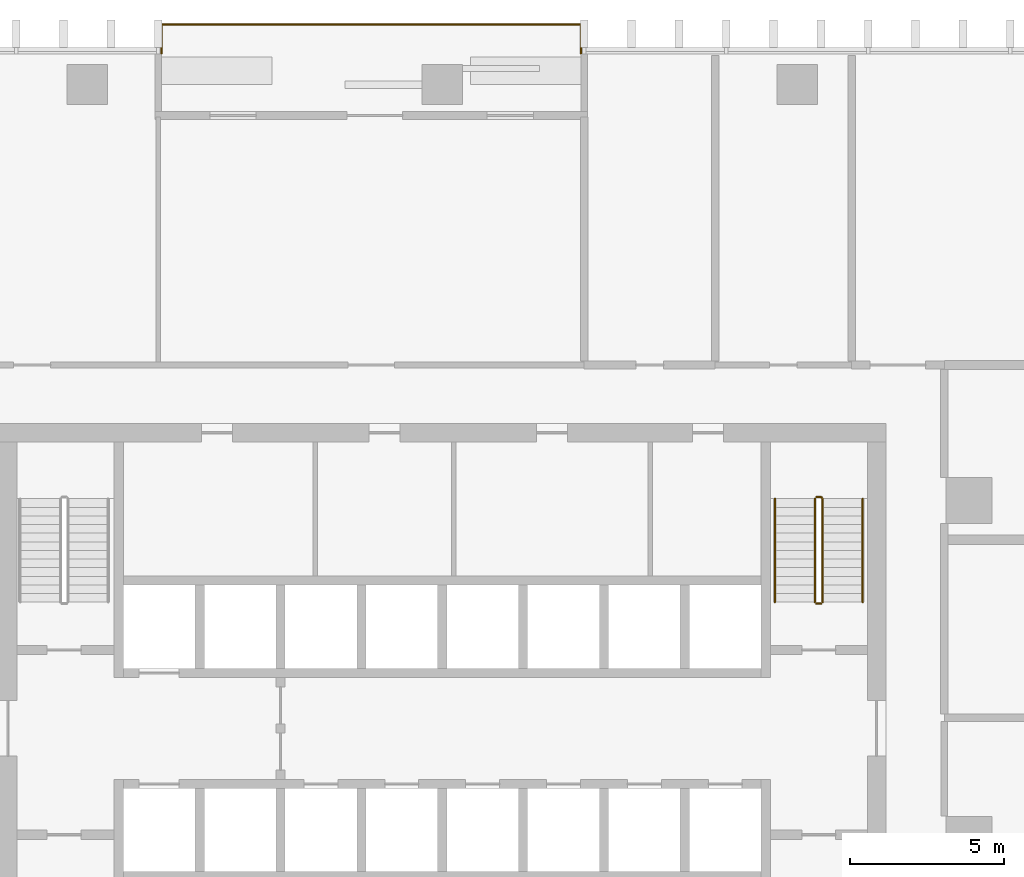
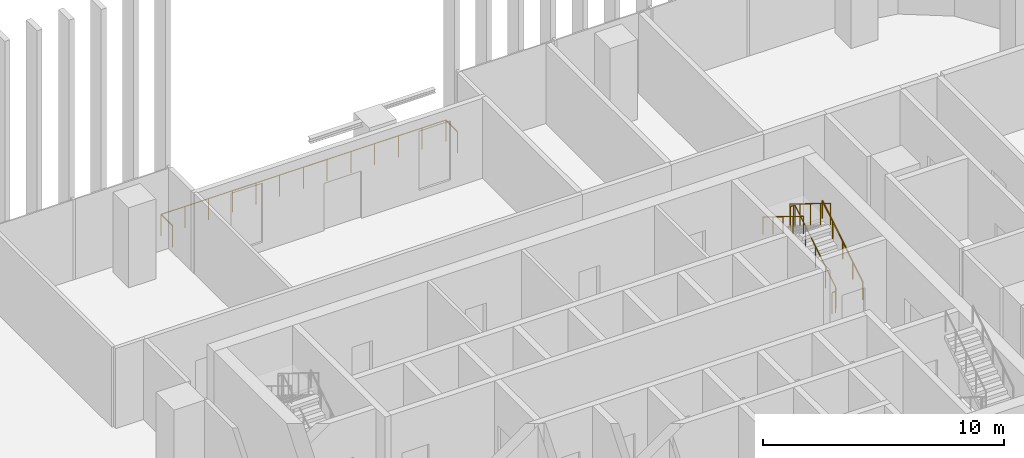
# One storey, part 16 of 17: 6 railings.
"""IFC4 building model written with IfcOpenShell, lengths in metres."""

from ifc_helpers import new_model, si_unit, direction, frame, origin, origin_2d, place, context, subcontext, project, spatial, circle, extrude, material, type_object, element, save


model = new_model("IFC4")

# Units and contexts
model_context = context("Model", 3, precision=1e-05, world=origin(), true_north=direction((0.0, 1.0)))
body_context = subcontext(model_context, "Body", "Model", "MODEL_VIEW")
ifc_project = project(units=[si_unit("LENGTHUNIT", "METRE"), si_unit("AREAUNIT", "SQUARE_METRE"), si_unit("VOLUMEUNIT", "CUBIC_METRE"), si_unit("PLANEANGLEUNIT", "RADIAN"), si_unit("MASSUNIT", "GRAM", prefix="KILO")], contexts=[model_context])

# Site, building, storey
site_placement = place(None, origin())
site = spatial("IfcSite", under=ifc_project, at=site_placement, CompositionType="ELEMENT")
building_placement = place(site_placement, origin())
building = spatial("IfcBuilding", under=site, at=building_placement, Name="Mopane Tessera Tower", CompositionType="ELEMENT")
storey_placement = place(building_placement, frame((0.0, 0.0, 121.60009765625)))
storey = spatial("IfcBuildingStorey", under=building, at=storey_placement, Name="L24", CompositionType="ELEMENT", Elevation=121.60009765625)

# Railings
ifc_material_1 = material(Name="Powder-coated steel balustrade", Category="steel")
railing_type_1 = type_object("IfcRailingType", Name="Escape stair guard 1100 mm", PredefinedType="GUARDRAIL", material=ifc_material_1)
railing_1_placement = place(storey_placement, frame((12.35009765625, 7.699951171875, 0.173095703125)))
element("IfcRailing", 1, at=railing_1_placement, inside=storey, type_object=railing_type_1, Name="L24 ST4 stair guard 1", PredefinedType="GUARDRAIL", context=body_context, shape_type="SweptSolid", body=[
    extrude(circle(Radius=0.02392578125, at=origin_2d()), frame((0.0, 0.0, 1.076171875), z_axis=(0.0, 0.850623216509, 0.525775754039), x_axis=(-1.0, 0.0, 0.0)), (0.0, 0.0, 1.0), 3.9501953125),
    extrude(circle(Radius=0.02392578125, at=origin_2d()), frame((0.0, 3.360107421875, 3.15283203125), z_axis=(-0.707106781187, 0.707106781187, 0.0), x_axis=(-0.707106781187, -0.707106781187, 0.0)), (0.0, 0.0, 1.0), 0.07080078125),
    extrude(circle(Radius=0.02392578125, at=origin_2d()), frame((-0.050048828125, 3.41015625, 3.15283203125), z_axis=(-1.0, 0.0, 0.0), x_axis=(0.0, -1.0, 0.0)), (0.0, 0.0, 1.0), 0.150146484375),
    extrude(circle(Radius=0.02099609375, at=origin_2d()), origin(), (0.0, 0.0, 1.0), 1.052001953125),
    extrude(circle(Radius=0.02099609375, at=origin_2d()), frame((0.0, 0.840087890625, 0.519287109375)), (0.0, 0.0, 1.0), 1.052001953125),
    extrude(circle(Radius=0.02099609375, at=origin_2d()), frame((0.0, 1.68017578125, 1.03857421875)), (0.0, 0.0, 1.0), 1.052001953125),
    extrude(circle(Radius=0.02099609375, at=origin_2d()), frame((0.0, 2.52001953125, 1.5576171875)), (0.0, 0.0, 1.0), 1.052001953125),
    extrude(circle(Radius=0.02099609375, at=origin_2d()), frame((0.0, 3.360107421875, 2.076904296875)), (0.0, 0.0, 1.0), 1.052001953125),
    extrude(circle(Radius=0.02099609375, at=origin_2d()), frame((-0.050048828125, 3.41015625, 2.076904296875)), (0.0, 0.0, 1.0), 1.052001953125),
    extrude(circle(Radius=0.02099609375, at=origin_2d()), frame((-0.2001953125, 3.41015625, 2.076904296875)), (0.0, 0.0, 1.0), 1.052001953125),
])
railing_2_placement = place(storey_placement, frame((12.10009765625, 11.06005859375, 2.423095703125)))
element("IfcRailing", 2, at=railing_2_placement, inside=storey, type_object=railing_type_1, Name="L24 ST4 stair guard 2", PredefinedType="GUARDRAIL", context=body_context, shape_type="SweptSolid", body=[
    extrude(circle(Radius=0.02392578125, at=origin_2d()), frame((0.0, 0.0, 1.076171875), z_axis=(0.0, -0.850623216509, 0.525775754039), x_axis=(1.0, 0.0, 0.0)), (0.0, 0.0, 1.0), 3.9501953125),
    extrude(circle(Radius=0.02099609375, at=origin_2d()), origin(), (0.0, 0.0, 1.0), 1.052001953125),
    extrude(circle(Radius=0.02099609375, at=origin_2d()), frame((0.0, -0.840087890625, 0.519287109375)), (0.0, 0.0, 1.0), 1.052001953125),
    extrude(circle(Radius=0.02099609375, at=origin_2d()), frame((0.0, -1.68017578125, 1.03857421875)), (0.0, 0.0, 1.0), 1.052001953125),
    extrude(circle(Radius=0.02099609375, at=origin_2d()), frame((0.0, -2.52001953125, 1.5576171875)), (0.0, 0.0, 1.0), 1.052001953125),
    extrude(circle(Radius=0.02099609375, at=origin_2d()), frame((0.0, -3.360107421875, 2.076904296875)), (0.0, 0.0, 1.0), 1.052001953125),
])
railing_3_placement = place(storey_placement, frame((12.300048828125, 7.64990234375, 0.0)))
element("IfcRailing", 3, at=railing_3_placement, inside=storey, type_object=railing_type_1, Name="L24 ST4 stair guard 3", PredefinedType="GUARDRAIL", context=body_context, shape_type="SweptSolid", body=[
    extrude(circle(Radius=0.02392578125, at=origin_2d()), frame((0.0, 0.0, 1.076171875), z_axis=(-1.0, 0.0, 0.0), x_axis=(0.0, -1.0, 0.0)), (0.0, 0.0, 1.0), 0.150146484375),
    extrude(circle(Radius=0.02099609375, at=origin_2d()), origin(), (0.0, 0.0, 1.0), 1.052001953125),
    extrude(circle(Radius=0.02099609375, at=origin_2d()), frame((-0.150146484375, 0.0, 0.0)), (0.0, 0.0, 1.0), 1.052001953125),
])
ifc_material_2 = material(Name="Powder-coated steel balustrade", Category="steel")
railing_type_2 = type_object("IfcRailingType", Name="Escape stair handrail 900 mm", PredefinedType="HANDRAIL", material=ifc_material_2)
railing_4_placement = place(storey_placement, frame((13.64990234375, 7.699951171875, 0.173095703125)))
element("IfcRailing", 4, at=railing_4_placement, inside=storey, type_object=railing_type_2, Name="L24 ST4 stair handrail 1", PredefinedType="HANDRAIL", context=body_context, shape_type="SweptSolid", body=[
    extrude(circle(Radius=0.02392578125, at=origin_2d()), frame((0.0, 0.0, 0.8759765625), z_axis=(0.0, 0.850623216509, 0.525775754039), x_axis=(-1.0, 0.0, 0.0)), (0.0, 0.0, 1.0), 3.9501953125),
    extrude(circle(Radius=0.02099609375, at=origin_2d()), origin(), (0.0, 0.0, 1.0), 0.851806640625),
    extrude(circle(Radius=0.02099609375, at=origin_2d()), frame((0.0, 0.840087890625, 0.519287109375)), (0.0, 0.0, 1.0), 0.851806640625),
    extrude(circle(Radius=0.02099609375, at=origin_2d()), frame((0.0, 1.68017578125, 1.03857421875)), (0.0, 0.0, 1.0), 0.851806640625),
    extrude(circle(Radius=0.02099609375, at=origin_2d()), frame((0.0, 2.52001953125, 1.5576171875)), (0.0, 0.0, 1.0), 0.851806640625),
    extrude(circle(Radius=0.02099609375, at=origin_2d()), frame((0.0, 3.360107421875, 2.076904296875)), (0.0, 0.0, 1.0), 0.851806640625),
])
railing_5_placement = place(storey_placement, frame((10.800048828125, 11.06005859375, 2.423095703125)))
element("IfcRailing", 5, at=railing_5_placement, inside=storey, type_object=railing_type_2, Name="L24 ST4 stair handrail 2", PredefinedType="HANDRAIL", context=body_context, shape_type="SweptSolid", body=[
    extrude(circle(Radius=0.02392578125, at=origin_2d()), frame((0.0, 0.0, 0.8759765625), z_axis=(0.0, -0.850623216509, 0.525775754039), x_axis=(1.0, 0.0, 0.0)), (0.0, 0.0, 1.0), 3.9501953125),
    extrude(circle(Radius=0.02099609375, at=origin_2d()), origin(), (0.0, 0.0, 1.0), 0.851806640625),
    extrude(circle(Radius=0.02099609375, at=origin_2d()), frame((0.0, -0.840087890625, 0.519287109375)), (0.0, 0.0, 1.0), 0.851806640625),
    extrude(circle(Radius=0.02099609375, at=origin_2d()), frame((0.0, -1.68017578125, 1.03857421875)), (0.0, 0.0, 1.0), 0.851806640625),
    extrude(circle(Radius=0.02099609375, at=origin_2d()), frame((0.0, -2.52001953125, 1.5576171875)), (0.0, 0.0, 1.0), 0.851806640625),
    extrude(circle(Radius=0.02099609375, at=origin_2d()), frame((0.0, -3.360107421875, 2.076904296875)), (0.0, 0.0, 1.0), 0.851806640625),
])
ifc_material_3 = material(Name="Stainless steel S316", Category="steel")
railing_type_3 = type_object("IfcRailingType", Name="Terrace guard 1100", PredefinedType="GUARDRAIL", material=ifc_material_3)
railing_6_placement = place(storey_placement, frame((4.510009765625, 25.5, 0.0)))
element("IfcRailing", 6, at=railing_6_placement, inside=storey, type_object=railing_type_3, Name="e:nw:L24:N1:guard", PredefinedType="GUARDRAIL", context=body_context, shape_type="SweptSolid", body=[
    extrude(circle(Radius=0.02392578125, at=origin_2d()), frame((0.0, 0.0, 1.076171875), z_axis=(0.0, 1.0, 0.0), x_axis=(-1.0, 0.0, 0.0)), (0.0, 0.0, 1.0), 0.949951171875),
    extrude(circle(Radius=0.02392578125, at=origin_2d()), frame((0.0, 0.949951171875, 1.076171875), z_axis=(-1.0, 0.0, 0.0), x_axis=(0.0, -1.0, 0.0)), (0.0, 0.0, 1.0), 13.630126953125),
    extrude(circle(Radius=0.02392578125, at=origin_2d()), frame((-13.630126953125, 0.949951171875, 1.076171875), z_axis=(0.0, -1.0, 0.0), x_axis=(1.0, 0.0, 0.0)), (0.0, 0.0, 1.0), 0.949951171875),
    extrude(circle(Radius=0.02099609375, at=origin_2d()), origin(), (0.0, 0.0, 1.0), 1.052001953125),
    extrude(circle(Radius=0.02099609375, at=origin_2d()), frame((0.0, 0.949951171875, 0.0)), (0.0, 0.0, 1.0), 1.052001953125),
    extrude(circle(Radius=0.02099609375, at=origin_2d()), frame((-1.1357421875, 0.949951171875, 0.0)), (0.0, 0.0, 1.0), 1.052001953125),
    extrude(circle(Radius=0.02099609375, at=origin_2d()), frame((-2.271728515625, 0.949951171875, 0.0)), (0.0, 0.0, 1.0), 1.052001953125),
    extrude(circle(Radius=0.02099609375, at=origin_2d()), frame((-3.407470703125, 0.949951171875, 0.0)), (0.0, 0.0, 1.0), 1.052001953125),
    extrude(circle(Radius=0.02099609375, at=origin_2d()), frame((-4.54345703125, 0.949951171875, 0.0)), (0.0, 0.0, 1.0), 1.052001953125),
    extrude(circle(Radius=0.02099609375, at=origin_2d()), frame((-5.67919921875, 0.949951171875, 0.0)), (0.0, 0.0, 1.0), 1.052001953125),
    extrude(circle(Radius=0.02099609375, at=origin_2d()), frame((-6.81494140625, 0.949951171875, 0.0)), (0.0, 0.0, 1.0), 1.052001953125),
    extrude(circle(Radius=0.02099609375, at=origin_2d()), frame((-7.950927734375, 0.949951171875, 0.0)), (0.0, 0.0, 1.0), 1.052001953125),
    extrude(circle(Radius=0.02099609375, at=origin_2d()), frame((-9.086669921875, 0.949951171875, 0.0)), (0.0, 0.0, 1.0), 1.052001953125),
    extrude(circle(Radius=0.02099609375, at=origin_2d()), frame((-10.22265625, 0.949951171875, 0.0)), (0.0, 0.0, 1.0), 1.052001953125),
    extrude(circle(Radius=0.02099609375, at=origin_2d()), frame((-11.3583984375, 0.949951171875, 0.0)), (0.0, 0.0, 1.0), 1.052001953125),
    extrude(circle(Radius=0.02099609375, at=origin_2d()), frame((-12.494384765625, 0.949951171875, 0.0)), (0.0, 0.0, 1.0), 1.052001953125),
    extrude(circle(Radius=0.02099609375, at=origin_2d()), frame((-13.630126953125, 0.949951171875, 0.0)), (0.0, 0.0, 1.0), 1.052001953125),
    extrude(circle(Radius=0.02099609375, at=origin_2d()), frame((-13.630126953125, 0.0, 0.0)), (0.0, 0.0, 1.0), 1.052001953125),
])

save(model, "model.ifc")
